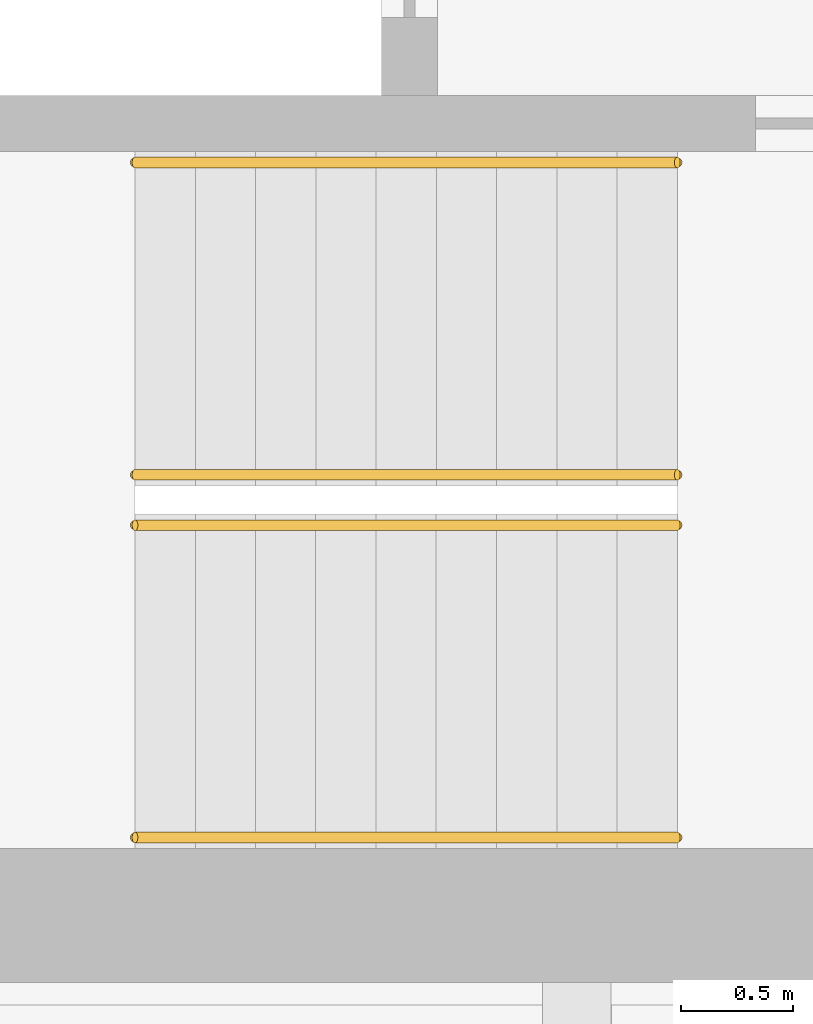
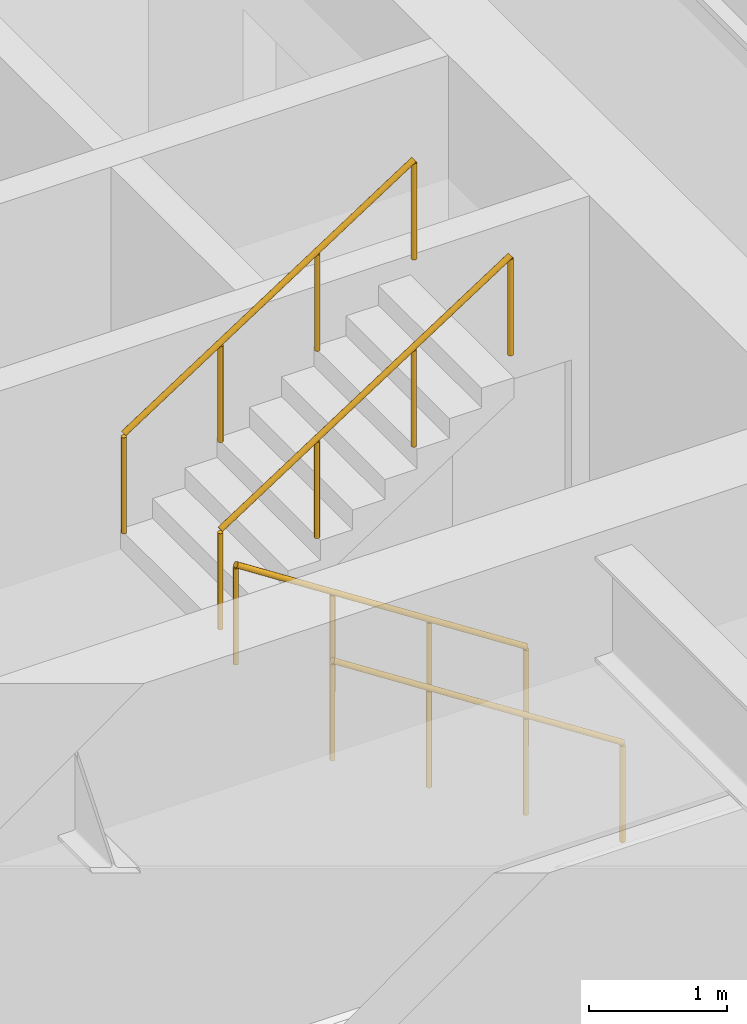
# One storey, part 17 of 21: 4 railings.
"""IFC4 building model written with IfcOpenShell, lengths in metres."""

from ifc_helpers import new_model, si_unit, direction, frame, origin, origin_2d, place, context, subcontext, project, spatial, circle, extrude, material, type_object, element, save


model = new_model("IFC4")

# Units and contexts
model_context = context("Model", 3, precision=1e-05, world=origin(), true_north=direction((0.0, 1.0)))
body_context = subcontext(model_context, "Body", "Model", "MODEL_VIEW")
ifc_project = project(units=[si_unit("LENGTHUNIT", "METRE"), si_unit("AREAUNIT", "SQUARE_METRE"), si_unit("VOLUMEUNIT", "CUBIC_METRE"), si_unit("PLANEANGLEUNIT", "RADIAN"), si_unit("MASSUNIT", "GRAM", prefix="KILO")], contexts=[model_context])

# Site, building, storey
site_placement = place(None, origin())
site = spatial("IfcSite", under=ifc_project, at=site_placement, CompositionType="ELEMENT")
building_placement = place(site_placement, origin())
building = spatial("IfcBuilding", under=site, at=building_placement, Name="Msasa Ring Tower", CompositionType="ELEMENT")
storey_placement = place(building_placement, frame((0.0, 0.0, 86.0)))
storey = spatial("IfcBuildingStorey", under=building, at=storey_placement, Name="L22", CompositionType="ELEMENT", Elevation=86.0)

# Railings
ifc_material = material(Name="Stainless steel", Category="steel")
railing_type = type_object("IfcRailingType", Name="HR1 HANDRAIL 900", PredefinedType="HANDRAIL", material=ifc_material)
for number, where, name in (
    (1, (-10.800048828125, -6.39990234375, 0.175048828125), "Handrail stair SWA L22 1"),
    (2, (-10.800048828125, -5.0, 0.175048828125), "Handrail stair SWA L22 2"),
):
    element("IfcRailing", number, at=place(storey_placement, frame(where)), inside=storey, type_object=railing_type, Name=name, PredefinedType="HANDRAIL", context=body_context, shape_type="SweptSolid", body=[
        extrude(circle(Radius=0.02392578125, at=origin_2d()), frame((0.0, 0.0, 0.8759765625), z_axis=(-0.839153699163, 0.0, 0.543894354798), x_axis=(0.0, -1.0, 0.0)), (0.0, 0.0, 1.0), 2.895751953125),
        extrude(circle(Radius=0.02099609375, at=origin_2d()), origin(), (0.0, 0.0, 1.0), 0.851806640625),
        extrude(circle(Radius=0.02099609375, at=origin_2d()), frame((-0.81005859375, 0.0, 0.52490234375)), (0.0, 0.0, 1.0), 0.851806640625),
        extrude(circle(Radius=0.02099609375, at=origin_2d()), frame((-1.619873046875, 0.0, 1.050048828125)), (0.0, 0.0, 1.0), 0.851806640625),
        extrude(circle(Radius=0.02099609375, at=origin_2d()), frame((-2.429931640625, 0.0, 1.574951171875)), (0.0, 0.0, 1.0), 0.851806640625),
    ])
for number, where, name in (
    (3, (-13.22998046875, -4.77490234375, 1.925048828125), "Handrail stair SWA L22 3"),
    (4, (-13.22998046875, -3.375, 1.925048828125), "Handrail stair SWA L22 4"),
):
    element("IfcRailing", number, at=place(storey_placement, frame(where)), inside=storey, type_object=railing_type, Name=name, PredefinedType="HANDRAIL", context=body_context, shape_type="SweptSolid", body=[
        extrude(circle(Radius=0.02392578125, at=origin_2d()), frame((0.0, 0.0, 0.8759765625), z_axis=(0.839153699163, 0.0, 0.543894354798), x_axis=(0.0, 1.0, 0.0)), (0.0, 0.0, 1.0), 2.895751953125),
        extrude(circle(Radius=0.02099609375, at=origin_2d()), origin(), (0.0, 0.0, 1.0), 0.851806640625),
        extrude(circle(Radius=0.02099609375, at=origin_2d()), frame((0.81005859375, 0.0, 0.52490234375)), (0.0, 0.0, 1.0), 0.851806640625),
        extrude(circle(Radius=0.02099609375, at=origin_2d()), frame((1.619873046875, 0.0, 1.050048828125)), (0.0, 0.0, 1.0), 0.851806640625),
        extrude(circle(Radius=0.02099609375, at=origin_2d()), frame((2.429931640625, 0.0, 1.574951171875)), (0.0, 0.0, 1.0), 0.851806640625),
    ])

save(model, "model.ifc")
